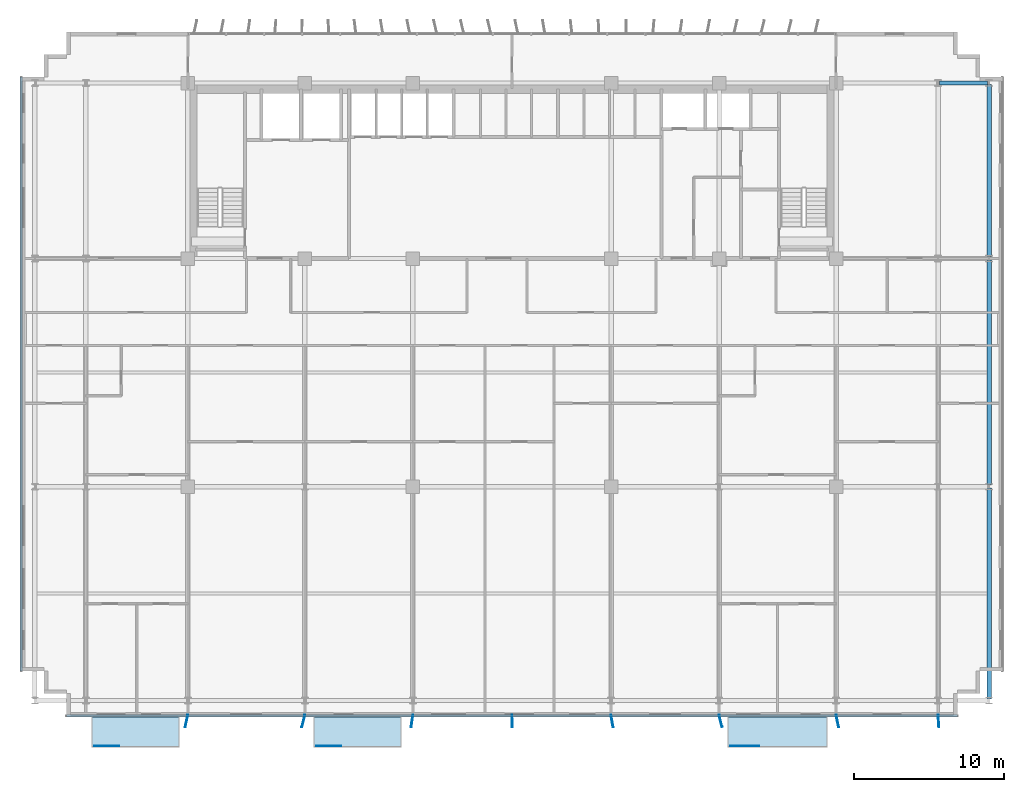
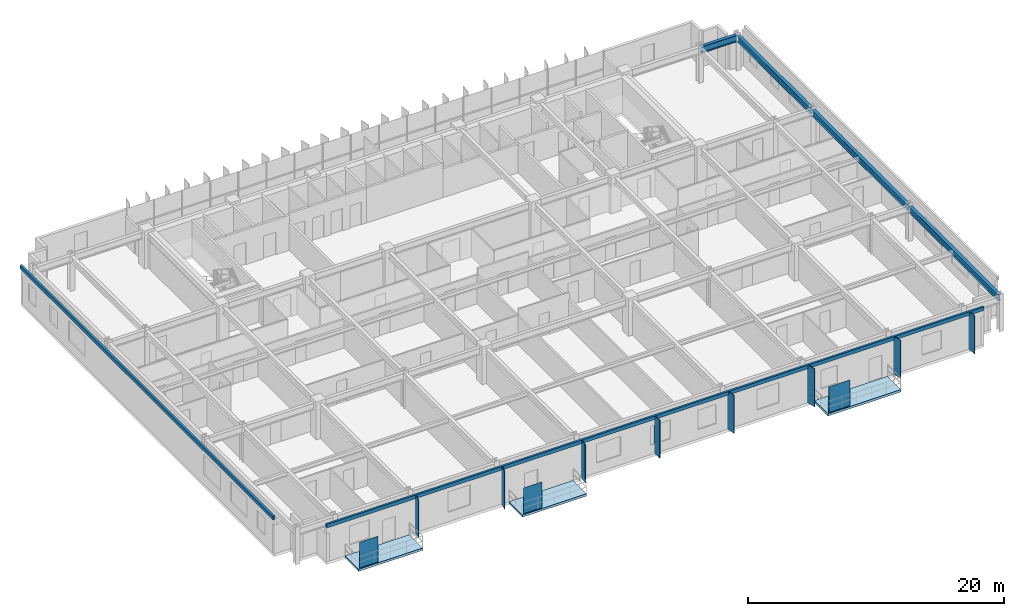
# One storey, part 13 of 22: 13 plates, 4 beams, 3 slabs.
"""IFC4 building model written with IfcOpenShell, lengths in metres."""

from ifc_helpers import new_model, si_unit, direction, frame, origin, origin_2d, place, context, subcontext, project, spatial, polyline, rectangle, i_section, outline, extrude, source, transform, mapped, material, layer, layer_set, material_profile, profile_set, type_object, element, save


model = new_model("IFC4")

# Units and contexts
model_context = context("Model", 3, precision=1e-05, world=origin(), true_north=direction((0.0, 1.0)))
body_context = subcontext(model_context, "Body", "Model", "MODEL_VIEW")
ifc_project = project(units=[si_unit("LENGTHUNIT", "METRE"), si_unit("AREAUNIT", "SQUARE_METRE"), si_unit("VOLUMEUNIT", "CUBIC_METRE"), si_unit("PLANEANGLEUNIT", "RADIAN"), si_unit("MASSUNIT", "GRAM", prefix="KILO")], contexts=[model_context])

# Site, building, storey
site_placement = place(None, origin())
site = spatial("IfcSite", under=ifc_project, at=site_placement, CompositionType="ELEMENT")
building_placement = place(site_placement, origin())
building = spatial("IfcBuilding", under=site, at=building_placement, Name="Trelvane Seafront Commons", CompositionType="ELEMENT")
storey_placement = place(building_placement, frame((0.0, 0.0, 55.89990234375)))
storey = spatial("IfcBuildingStorey", under=building, at=storey_placement, Name="L14", CompositionType="ELEMENT", Elevation=55.89990234375)

# Beams
ifc_material_1 = material(Name="Steel SM355 (S355)", Category="steel")
ifc_material_profile_1 = material_profile(ifc_material_1, i_section(OverallWidth=0.280029296875, OverallDepth=0.64990234375, WebThickness=0.012939453125, FlangeThickness=0.02197265625, at=origin_2d()), Name="H-650x280x13x22")
ifc_profile_set_1 = profile_set([ifc_material_profile_1], Name="Steel SM355 (S355)")
beam_type_1 = type_object("IfcBeamType", Name="STR-BM-H650", PredefinedType="BEAM", material=ifc_profile_set_1)
shared_shape_1 = source(origin(), body_context, "Body", "SweptSolid", [
    extrude(i_section(OverallWidth=0.280029296875, OverallDepth=0.64990234375, WebThickness=0.012939453125, FlangeThickness=0.02197265625, at=origin_2d()), origin(), (0.0, 0.0, 1.0), 3.18994140625),
])
beam_1_placement = place(storey_placement, frame((65.705078125, 45.10009765625, 3.01513671875), z_axis=(1.0, 0.0, 0.0), x_axis=(0.0, 1.0, 0.0)))
element("IfcBeam", 1, at=beam_1_placement, inside=storey, type_object=beam_type_1, Name="L14 Primary Girder G-36", PredefinedType="BEAM", context=body_context, shape_type="MappedRepresentation", body=[
    mapped(shared_shape_1, transform((0.0, 0.0, 0.0), x_axis=(1.0, 0.0, 0.0), y_axis=(0.0, 1.0, 0.0), z_axis=(0.0, 0.0, 1.0), scale=1.0)),
])
ifc_material_profile_2 = material_profile(ifc_material_1, i_section(OverallWidth=0.300048828125, OverallDepth=0.587890625, WebThickness=0.011962890625, FlangeThickness=0.02001953125, at=origin_2d()), Name="H-588x300x12x20")
ifc_profile_set_2 = profile_set([ifc_material_profile_2], Name="Steel SM355 (S355)")
beam_type_2 = type_object("IfcBeamType", Name="STR-BM-H588", PredefinedType="BEAM", material=ifc_profile_set_2)
shared_shape_2 = source(origin(), body_context, "Body", "SweptSolid", [
    extrude(i_section(OverallWidth=0.300048828125, OverallDepth=0.587890625, WebThickness=0.011962890625, FlangeThickness=0.02001953125, at=origin_2d()), origin(), (0.0, 0.0, 1.0), 14.0400390625),
])
beam_2_placement = place(storey_placement, frame((69.0, 4.054931640625, 3.046142578125), z_axis=(0.0, 1.0, 0.0), x_axis=(-1.0, 0.0, 0.0)))
element("IfcBeam", 2, at=beam_2_placement, inside=storey, type_object=beam_type_2, Name="L14 Primary Girder G-64", PredefinedType="BEAM", context=body_context, shape_type="MappedRepresentation", body=[
    mapped(shared_shape_2, transform((0.0, 0.0, 0.0), x_axis=(1.0, 0.0, 0.0), y_axis=(0.0, 1.0, 0.0), z_axis=(0.0, 0.0, 1.0), scale=1.0)),
])
shared_shape_3 = source(origin(), body_context, "Body", "SweptSolid", [
    extrude(i_section(OverallWidth=0.300048828125, OverallDepth=0.587890625, WebThickness=0.011962890625, FlangeThickness=0.02001953125, at=origin_2d()), origin(), (0.0, 0.0, 1.0), 14.989990234375),
])
beam_3_placement = place(storey_placement, frame((69.0, 18.304931640625, 3.046142578125), z_axis=(0.0, 1.0, 0.0), x_axis=(-1.0, 0.0, 0.0)))
element("IfcBeam", 3, at=beam_3_placement, inside=storey, type_object=beam_type_2, Name="L14 Primary Girder G-65", PredefinedType="BEAM", context=body_context, shape_type="MappedRepresentation", body=[
    mapped(shared_shape_3, transform((0.0, 0.0, 0.0), x_axis=(1.0, 0.0, 0.0), y_axis=(0.0, 1.0, 0.0), z_axis=(0.0, 0.0, 1.0), scale=1.0)),
])
shared_shape_4 = source(origin(), body_context, "Body", "SweptSolid", [
    extrude(i_section(OverallWidth=0.300048828125, OverallDepth=0.587890625, WebThickness=0.011962890625, FlangeThickness=0.02001953125, at=origin_2d()), origin(), (0.0, 0.0, 1.0), 11.490234375),
])
beam_4_placement = place(storey_placement, frame((69.0, 33.5048828125, 3.046142578125), z_axis=(0.0, 1.0, 0.0), x_axis=(-1.0, 0.0, 0.0)))
element("IfcBeam", 4, at=beam_4_placement, inside=storey, type_object=beam_type_2, Name="L14 Primary Girder G-66", PredefinedType="BEAM", context=body_context, shape_type="MappedRepresentation", body=[
    mapped(shared_shape_4, transform((0.0, 0.0, 0.0), x_axis=(1.0, 0.0, 0.0), y_axis=(0.0, 1.0, 0.0), z_axis=(0.0, 0.0, 1.0), scale=1.0)),
])

# Slabs
ifc_material_2 = material(Name="Concrete C40/50", Category="concrete")
ifc_layer_1 = layer(ifc_material_2, 0.219970703125, Name="ARCH-BALC-220")
ifc_layer_set_1 = layer_set([ifc_layer_1], Name="Concrete C40/50")
slab_type = type_object("IfcSlabType", Name="ARCH-BALC-220", PredefinedType="FLOOR", material=ifc_layer_set_1)
slab_1_placement = place(storey_placement, frame((0.0, 0.0, -0.219970703125)))
element("IfcSlab", 5, at=slab_1_placement, inside=storey, type_object=slab_type, Name="L14 Cantilevered Tree Balcony Loggia 1", PredefinedType="FLOOR", context=body_context, shape_type="SweptSolid", body=[
    extrude(outline(polyline([(9.199951171875, 0.800048828125), (15.0, 0.800048828125), (15.0, 2.89990234375), (9.199951171875, 2.89990234375), (9.199951171875, 0.800048828125)])), origin(), (0.0, 0.0, 1.0), 0.219970703125),
])
slab_2_placement = place(storey_placement, frame((0.0, 0.0, -0.219970703125)))
element("IfcSlab", 6, at=slab_2_placement, inside=storey, type_object=slab_type, Name="L14 Cantilevered Tree Balcony Loggia 2", PredefinedType="FLOOR", context=body_context, shape_type="SweptSolid", body=[
    extrude(outline(polyline([(24.0, 0.800048828125), (29.800048828125, 0.800048828125), (29.800048828125, 2.89990234375), (24.0, 2.89990234375), (24.0, 0.800048828125)])), origin(), (0.0, 0.0, 1.0), 0.219970703125),
])
slab_3_placement = place(storey_placement, frame((0.0, 0.0, -0.219970703125)))
element("IfcSlab", 7, at=slab_3_placement, inside=storey, type_object=slab_type, Name="L14 Cantilevered Tree Balcony Loggia 3", PredefinedType="FLOOR", context=body_context, shape_type="SweptSolid", body=[
    extrude(outline(polyline([(51.60009765625, 0.800048828125), (58.199951171875, 0.800048828125), (58.199951171875, 2.89990234375), (51.60009765625, 2.89990234375), (51.60009765625, 0.800048828125)])), origin(), (0.0, 0.0, 1.0), 0.219970703125),
])

# Plates
ifc_material_3 = material(Name="Perforated anodised aluminium screen", Category="aluminium")
ifc_layer_2 = layer(ifc_material_3, 0.01611328125, Name="ARCH-PLATE-SCREEN")
ifc_layer_set_2 = layer_set([ifc_layer_2], Name="Perforated anodised aluminium screen")
plate_type_1 = type_object("IfcPlateType", Name="ARCH-PLATE-SCREEN", PredefinedType="USERDEFINED", material=ifc_layer_set_2)
shared_shape_5 = source(origin(), body_context, "Body", "SweptSolid", [
    extrude(rectangle(XDim=1.9140625, YDim=0.01611328125, at=origin_2d()), origin(), (0.0, 0.0, 1.0), 2.449951171875),
])
plate_1_placement = place(storey_placement, frame((52.70703125, 0.919921875, 0.0), z_axis=(0.0, 0.0, 1.0), x_axis=(1.0, 0.0, 0.0)))
element("IfcPlate", 8, at=plate_1_placement, inside=storey, type_object=plate_type_1, Name="SCR-L14-00053", ObjectType="SCREEN", PredefinedType="USERDEFINED", context=body_context, shape_type="MappedRepresentation", body=[
    mapped(shared_shape_5, transform((0.0, 0.0, 0.0), x_axis=(1.0, 0.0, 0.0), y_axis=(0.0, 1.0, 0.0), z_axis=(0.0, 0.0, 1.0), scale=1.0)),
])
shared_shape_6 = source(origin(), body_context, "Body", "SweptSolid", [
    extrude(rectangle(XDim=1.681884765625, YDim=0.01611328125, at=origin_2d()), origin(), (0.0, 0.0, 1.0), 2.449951171875),
])
for number, where, z_axis, x_axis, name in (
    (9, (10.19091796875, 0.919921875, 0.0), (0.0, 0.0, 1.0), (1.0, 0.0, 0.0), "SCR-L14-00051"),
    (10, (24.990966796875, 0.919921875, 0.0), (0.0, 0.0, 1.0), (1.0, 0.0, 0.0), "SCR-L14-00052"),
):
    element("IfcPlate", number, at=place(storey_placement, frame(where, z_axis=z_axis, x_axis=x_axis)), inside=storey, type_object=plate_type_1, Name=name, ObjectType="SCREEN", PredefinedType="USERDEFINED", context=body_context, shape_type="MappedRepresentation", body=[
        mapped(shared_shape_6, transform((0.0, 0.0, 0.0), x_axis=(1.0, 0.0, 0.0), y_axis=(0.0, 1.0, 0.0), z_axis=(0.0, 0.0, 1.0), scale=1.0)),
    ])
ifc_material_4 = material(Name="Anodised pale-silver aluminium", Category="aluminium")
ifc_layer_3 = layer(ifc_material_4, 0.06005859375, Name="ARCH-PLATE-FIN900")
ifc_layer_set_3 = layer_set([ifc_layer_3], Name="Anodised pale-silver aluminium")
plate_type_2 = type_object("IfcPlateType", Name="ARCH-PLATE-FIN900", PredefinedType="USERDEFINED", material=ifc_layer_set_3)
shared_shape_7 = source(origin(), body_context, "Body", "SweptSolid", [
    extrude(rectangle(XDim=0.85009765625, YDim=0.06005859375, at=origin_2d()), origin(), (0.0, 0.0, 1.0), 3.639892578125),
])
for number, where, z_axis, x_axis, name in (
    (11, (15.5078125, 2.585205078125, -0.02001953125), (0.0, 0.0, 1.0), (-0.217068329503, -0.976156411815, 0.0), "FIN-S-L14-00319"),
    (12, (23.300048828125, 2.5869140625, -0.02001953125), (0.0, 0.0, 1.0), (-0.23516586252, -0.971955254683, 0.0), "FIN-S-L14-00320"),
    (13, (30.538818359375, 2.579345703125, -0.02001953125), (0.0, 0.0, 1.0), (-0.143874337428, -0.989595965548, 0.0), "FIN-S-L14-00321"),
    (14, (37.20703125, 2.5751953125, -0.02001953125), (0.0, 0.0, 1.0), (0.016469927459, -0.999864361546, 0.0), "FIN-S-L14-00322"),
    (15, (43.87158203125, 2.5810546875, -0.02001953125), (0.0, 0.0, 1.0), (0.168823123057, -0.985646363115, 0.0), "FIN-S-L14-00323"),
    (16, (51.102294921875, 2.58740234375, -0.02001953125), (0.0, 0.0, 1.0), (0.240707477378, -0.970597707773, 0.0), "FIN-S-L14-00324"),
    (17, (58.88525390625, 2.583740234375, -0.02001953125), (0.0, 0.0, 1.0), (0.200706905883, -0.979651334879, 0.0), "FIN-S-L14-00325"),
    (18, (65.628173828125, 2.575927734375, -0.02001953125), (0.0, 0.0, 1.0), (0.066120648315, -0.997811635464, 0.0), "FIN-S-L14-00326"),
):
    element("IfcPlate", number, at=place(storey_placement, frame(where, z_axis=z_axis, x_axis=x_axis)), inside=storey, type_object=plate_type_2, Name=name, ObjectType="FIN", PredefinedType="USERDEFINED", context=body_context, shape_type="MappedRepresentation", body=[
        mapped(shared_shape_7, transform((0.0, 0.0, 0.0), x_axis=(1.0, 0.0, 0.0), y_axis=(0.0, 1.0, 0.0), z_axis=(0.0, 0.0, 1.0), scale=1.0)),
    ])
ifc_layer_4 = layer(ifc_material_4, 0.179931640625, Name="ARCH-PLATE-AERO")
ifc_layer_set_4 = layer_set([ifc_layer_4], Name="Anodised pale-silver aluminium")
plate_type_3 = type_object("IfcPlateType", Name="ARCH-PLATE-AERO", PredefinedType="SHEET", material=ifc_layer_set_4)
shared_shape_8 = source(origin(), body_context, "Body", "SweptSolid", [
    extrude(rectangle(XDim=39.60009765625, YDim=0.179931640625, at=origin_2d()), origin(), (0.0, 0.0, 1.0), 0.340087890625),
])
plate_2_placement = place(storey_placement, frame((4.5, 25.699951171875, 3.2802734375), z_axis=(0.0, 0.0, 1.0), x_axis=(0.0, 1.0, 0.0)))
element("IfcPlate", 19, at=plate_2_placement, inside=storey, type_object=plate_type_3, Name="AER-L14-00049", PredefinedType="SHEET", context=body_context, shape_type="MappedRepresentation", body=[
    mapped(shared_shape_8, transform((0.0, 0.0, 0.0), x_axis=(1.0, 0.0, 0.0), y_axis=(0.0, 1.0, 0.0), z_axis=(0.0, 0.0, 1.0), scale=1.0)),
])
shared_shape_9 = source(origin(), body_context, "Body", "SweptSolid", [
    extrude(rectangle(XDim=59.39990234375, YDim=0.179931640625, at=origin_2d()), origin(), (0.0, 0.0, 1.0), 0.340087890625),
])
plate_3_placement = place(storey_placement, frame((37.199951171875, 2.93994140625, 3.2802734375), z_axis=(0.0, 0.0, 1.0), x_axis=(-1.0, 0.0, 0.0)))
element("IfcPlate", 20, at=plate_3_placement, inside=storey, type_object=plate_type_3, Name="AER-S-L14-00054", PredefinedType="SHEET", context=body_context, shape_type="MappedRepresentation", body=[
    mapped(shared_shape_9, transform((0.0, 0.0, 0.0), x_axis=(1.0, 0.0, 0.0), y_axis=(0.0, 1.0, 0.0), z_axis=(0.0, 0.0, 1.0), scale=1.0)),
])

save(model, "model.ifc")
